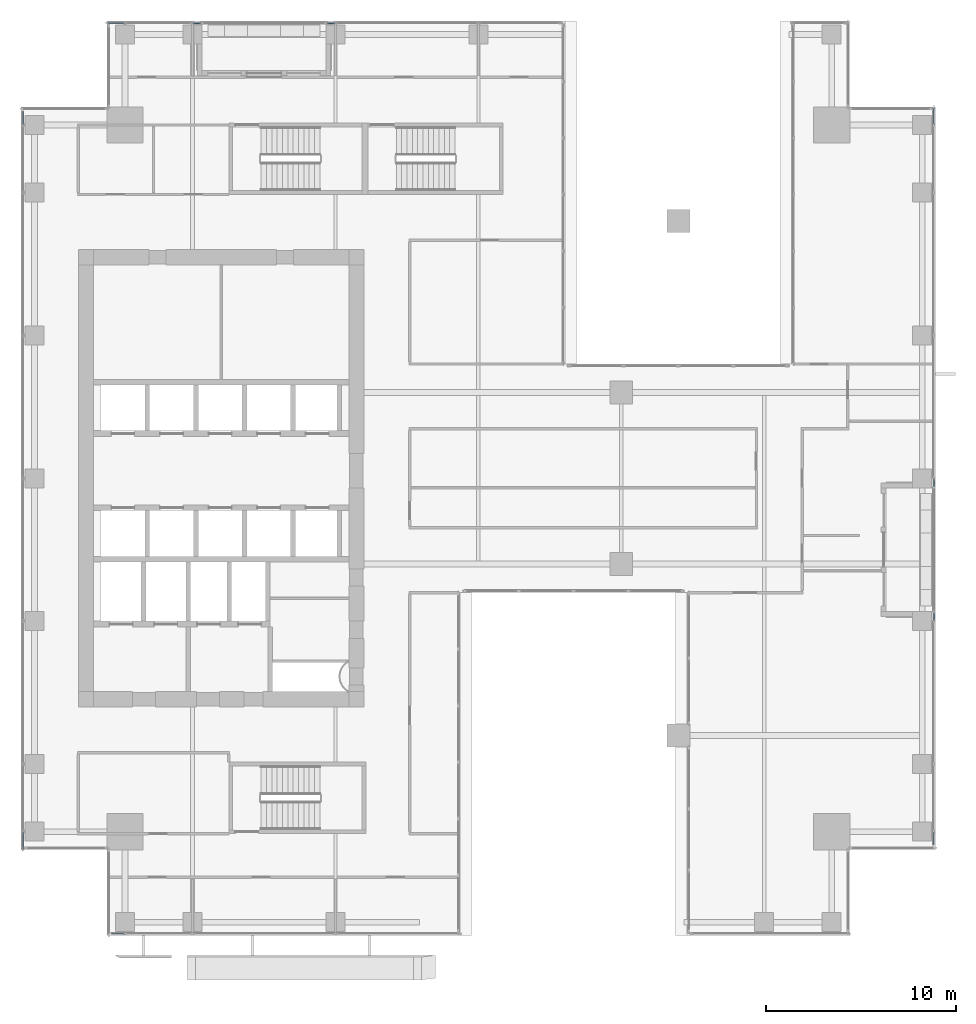
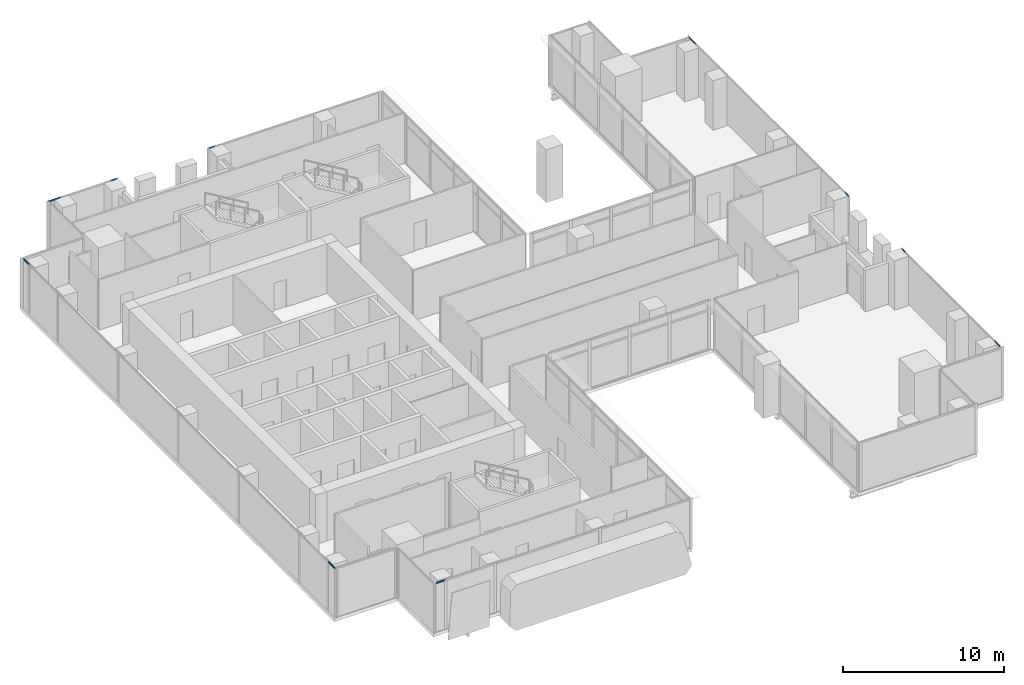
# One storey, part 26 of 37: 10 members, 6 elements without a shape of their own.
"""IFC4 building model written with IfcOpenShell, lengths in metres."""

from ifc_helpers import new_model, si_unit, direction, frame, origin, origin_2d, place, context, subcontext, project, spatial, hollow_rectangle, extrude, source, transform, mapped, material, material_profile, profile_set, type_object, element, aggregate, save


model = new_model("IFC4")

# Units and contexts
model_context = context("Model", 3, precision=1e-05, world=origin(), true_north=direction((0.0, 1.0)))
body_context = subcontext(model_context, "Body", "Model", "MODEL_VIEW")
ifc_project = project(units=[si_unit("LENGTHUNIT", "METRE"), si_unit("AREAUNIT", "SQUARE_METRE"), si_unit("VOLUMEUNIT", "CUBIC_METRE"), si_unit("PLANEANGLEUNIT", "RADIAN"), si_unit("MASSUNIT", "GRAM", prefix="KILO")], contexts=[model_context])

# Site, building, storey
site_placement = place(None, origin())
site = spatial("IfcSite", under=ifc_project, at=site_placement, CompositionType="ELEMENT")
building_placement = place(site_placement, origin())
building = spatial("IfcBuilding", under=site, at=building_placement, Name="Khomas Fold Tower", CompositionType="ELEMENT")
storey_placement = place(building_placement, frame((0.0, 0.0, 168.699951171875)))
storey = spatial("IfcBuildingStorey", under=building, at=storey_placement, Name="L36", CompositionType="ELEMENT", Elevation=168.699951171875)

# Curtain wall, member
ifc_material_1 = material(Name="Aluminium framed double glazing", Category="aluminium")
curtain_wall_type = type_object("IfcCurtainWallType", Name="SK-Unitised clear-glass wall, office floors CW2", PredefinedType="NOTDEFINED", material=ifc_material_1)
curtain_wall_1_placement = place(storey_placement, origin())
curtain_wall_1 = element("IfcCurtainWall", 1, at=curtain_wall_1_placement, inside=storey, type_object=curtain_wall_type, Name="CW2 run L36 01-0", PredefinedType="NOTDEFINED")
ifc_material_2 = material(Name="Aluminium", Category="aluminium")
ifc_material_profile = material_profile(ifc_material_2, hollow_rectangle(XDim=0.050048828125, YDim=0.110107421875, WallThickness=0.00390625, at=origin_2d()), Name="SK-Unitised clear-glass wall, office floors transom CW2-T")
ifc_profile_set = profile_set([ifc_material_profile], Name="Aluminium")
member_type = type_object("IfcMemberType", Name="SK-Unitised clear-glass wall, office floors transom CW2-T", PredefinedType="USERDEFINED", material=ifc_profile_set)
shared_shape_1 = source(origin(), body_context, "Body", "SweptSolid", [
    extrude(hollow_rectangle(XDim=0.050048828125, YDim=0.110107421875, WallThickness=0.00390625, at=origin_2d()), origin(), (0.0, 0.0, 1.0), 0.659912109375),
])
member_1_placement = place(storey_placement, frame((7.760009765625, 3.10009765625, 3.695068359375), z_axis=(1.0, 0.0, 0.0), x_axis=(0.0, 1.0, 0.0)))
member_1 = element("IfcMember", 2, at=member_1_placement, type_object=member_type, Name="CW2 transom 1", ObjectType="TRANSOM", PredefinedType="USERDEFINED", context=body_context, shape_type="MappedRepresentation", body=[
    mapped(shared_shape_1, transform((0.0, 0.0, 0.0))),
])
aggregate(curtain_wall_1, [member_1])

curtain_wall_2_placement = place(storey_placement, origin())
curtain_wall_2 = element("IfcCurtainWall", 3, at=curtain_wall_2_placement, inside=storey, type_object=curtain_wall_type, Name="CW2 run L36 08-0", PredefinedType="NOTDEFINED")
member_2_placement = place(storey_placement, frame((50.89990234375, 7.760009765625, 3.695068359375), z_axis=(0.0, 1.0, 0.0), x_axis=(-1.0, 0.0, 0.0)))
member_2 = element("IfcMember", 4, at=member_2_placement, type_object=member_type, Name="CW2 transom 1", ObjectType="TRANSOM", PredefinedType="USERDEFINED", context=body_context, shape_type="MappedRepresentation", body=[
    mapped(shared_shape_1, transform((0.0, 0.0, 0.0))),
])

curtain_wall_3_placement = place(storey_placement, origin())
curtain_wall_3 = element("IfcCurtainWall", 5, at=curtain_wall_3_placement, inside=storey, type_object=curtain_wall_type, Name="CW2 run L36 18-0", PredefinedType="NOTDEFINED")
member_3_placement = place(storey_placement, frame((3.10009765625, 46.239990234375, 3.695068359375), z_axis=(0.0, -1.0, 0.0), x_axis=(1.0, 0.0, 0.0)))
member_3 = element("IfcMember", 6, at=member_3_placement, type_object=member_type, Name="CW2 transom 1", ObjectType="TRANSOM", PredefinedType="USERDEFINED", context=body_context, shape_type="MappedRepresentation", body=[
    mapped(shared_shape_1, transform((0.0, 0.0, 0.0))),
])

# Member
shared_shape_2 = source(origin(), body_context, "Body", "SweptSolid", [
    extrude(hollow_rectangle(XDim=0.050048828125, YDim=0.110107421875, WallThickness=0.00390625, at=origin_2d()), origin(), (0.0, 0.0, 1.0), 0.409912109375),
])
member_4_placement = place(storey_placement, frame((50.89990234375, 19.530029296875, 3.695068359375), z_axis=(0.0, 1.0, 0.0), x_axis=(-1.0, 0.0, 0.0)))
member_4 = element("IfcMember", 7, at=member_4_placement, type_object=member_type, Name="CW2 transom 4", ObjectType="TRANSOM", PredefinedType="USERDEFINED", context=body_context, shape_type="MappedRepresentation", body=[
    mapped(shared_shape_2, transform((0.0, 0.0, 0.0))),
])

aggregate(curtain_wall_2, [member_2, member_4])

# Curtain wall, member
curtain_wall_4_placement = place(storey_placement, origin())
curtain_wall_4 = element("IfcCurtainWall", 8, at=curtain_wall_4_placement, inside=storey, type_object=curtain_wall_type, Name="CW2 run L36 08-1", PredefinedType="NOTDEFINED")
member_5_placement = place(storey_placement, frame((50.89990234375, 26.56005859375, 3.695068359375), z_axis=(0.0, 1.0, 0.0), x_axis=(-1.0, 0.0, 0.0)))
member_5 = element("IfcMember", 9, at=member_5_placement, type_object=member_type, Name="CW2 transom 1", ObjectType="TRANSOM", PredefinedType="USERDEFINED", context=body_context, shape_type="MappedRepresentation", body=[
    mapped(shared_shape_2, transform((0.0, 0.0, 0.0))),
])

curtain_wall_5_placement = place(storey_placement, origin())
curtain_wall_5 = element("IfcCurtainWall", 10, at=curtain_wall_5_placement, inside=storey, type_object=curtain_wall_type, Name="CW2 run L36 15-0", PredefinedType="NOTDEFINED")
member_6_placement = place(storey_placement, frame((19.469970703125, 50.89990234375, 3.695068359375), z_axis=(-1.0, 0.0, 0.0), x_axis=(0.0, -1.0, 0.0)))
member_6 = element("IfcMember", 11, at=member_6_placement, type_object=member_type, Name="CW2 transom 3", ObjectType="TRANSOM", PredefinedType="USERDEFINED", context=body_context, shape_type="MappedRepresentation", body=[
    mapped(shared_shape_2, transform((0.0, 0.0, 0.0))),
])
aggregate(curtain_wall_5, [member_6])

curtain_wall_6_placement = place(storey_placement, origin())
curtain_wall_6 = element("IfcCurtainWall", 12, at=curtain_wall_6_placement, inside=storey, type_object=curtain_wall_type, Name="CW2 run L36 15-1", PredefinedType="NOTDEFINED")
member_7_placement = place(storey_placement, frame((12.43994140625, 50.89990234375, 3.695068359375), z_axis=(-1.0, 0.0, 0.0), x_axis=(0.0, -1.0, 0.0)))
member_7 = element("IfcMember", 13, at=member_7_placement, type_object=member_type, Name="CW2 transom 1", ObjectType="TRANSOM", PredefinedType="USERDEFINED", context=body_context, shape_type="MappedRepresentation", body=[
    mapped(shared_shape_2, transform((0.0, 0.0, 0.0))),
])

# Member
shared_shape_3 = source(origin(), body_context, "Body", "SweptSolid", [
    extrude(hollow_rectangle(XDim=0.050048828125, YDim=0.110107421875, WallThickness=0.00390625, at=origin_2d()), origin(), (0.0, 0.0, 1.0), 0.85986328125),
])
member_8_placement = place(storey_placement, frame((50.89990234375, 45.580078125, 3.695068359375), z_axis=(0.0, 1.0, 0.0), x_axis=(-1.0, 0.0, 0.0)))
member_8 = element("IfcMember", 14, at=member_8_placement, type_object=member_type, Name="CW2 transom 5", ObjectType="TRANSOM", PredefinedType="USERDEFINED", context=body_context, shape_type="MappedRepresentation", body=[
    mapped(shared_shape_3, transform((0.0, 0.0, 0.0))),
])

aggregate(curtain_wall_4, [member_5, member_8])

member_9_placement = place(storey_placement, frame((8.419921875, 50.89990234375, 3.695068359375), z_axis=(-1.0, 0.0, 0.0), x_axis=(0.0, -1.0, 0.0)))
member_9 = element("IfcMember", 15, at=member_9_placement, type_object=member_type, Name="CW2 transom 3", ObjectType="TRANSOM", PredefinedType="USERDEFINED", context=body_context, shape_type="MappedRepresentation", body=[
    mapped(shared_shape_3, transform((0.0, 0.0, 0.0))),
])

aggregate(curtain_wall_6, [member_7, member_9])

member_10_placement = place(storey_placement, frame((3.10009765625, 8.419921875, 3.695068359375), z_axis=(0.0, -1.0, 0.0), x_axis=(1.0, 0.0, 0.0)))
member_10 = element("IfcMember", 16, at=member_10_placement, type_object=member_type, Name="CW2 transom 8", ObjectType="TRANSOM", PredefinedType="USERDEFINED", context=body_context, shape_type="MappedRepresentation", body=[
    mapped(shared_shape_3, transform((0.0, 0.0, 0.0))),
])

aggregate(curtain_wall_3, [member_3, member_10])

save(model, "model.ifc")
